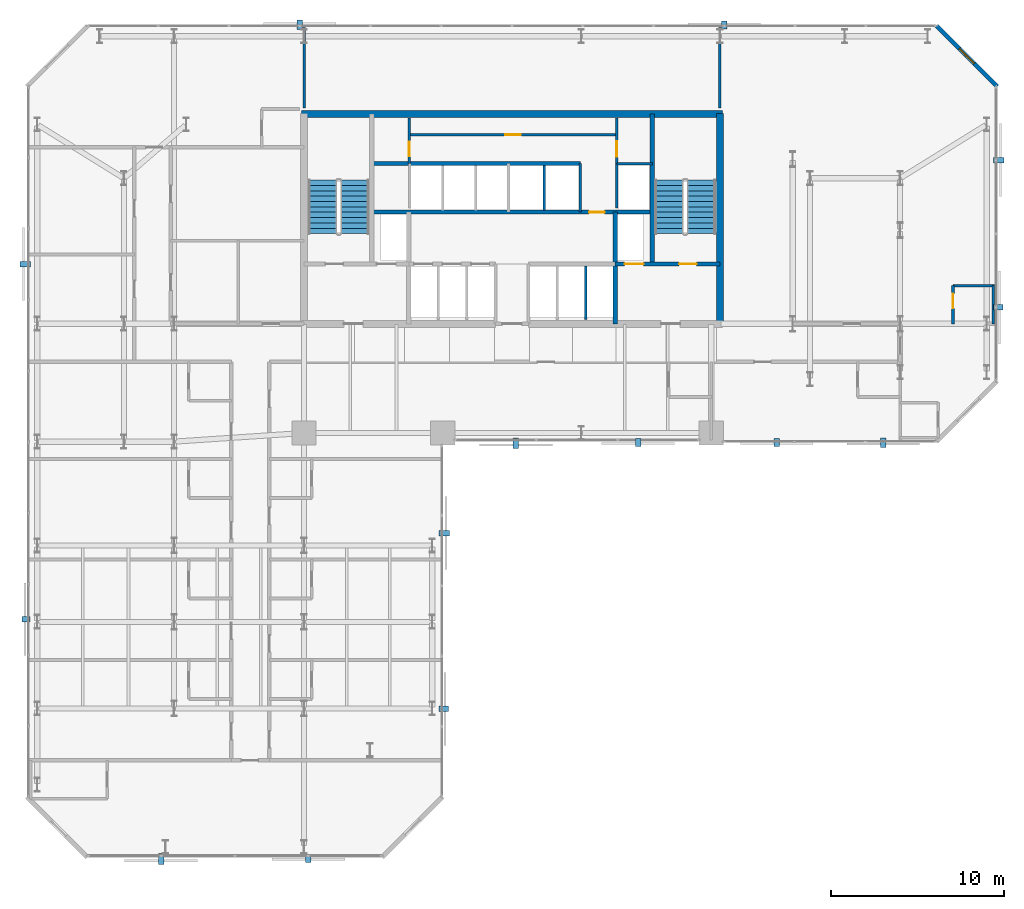
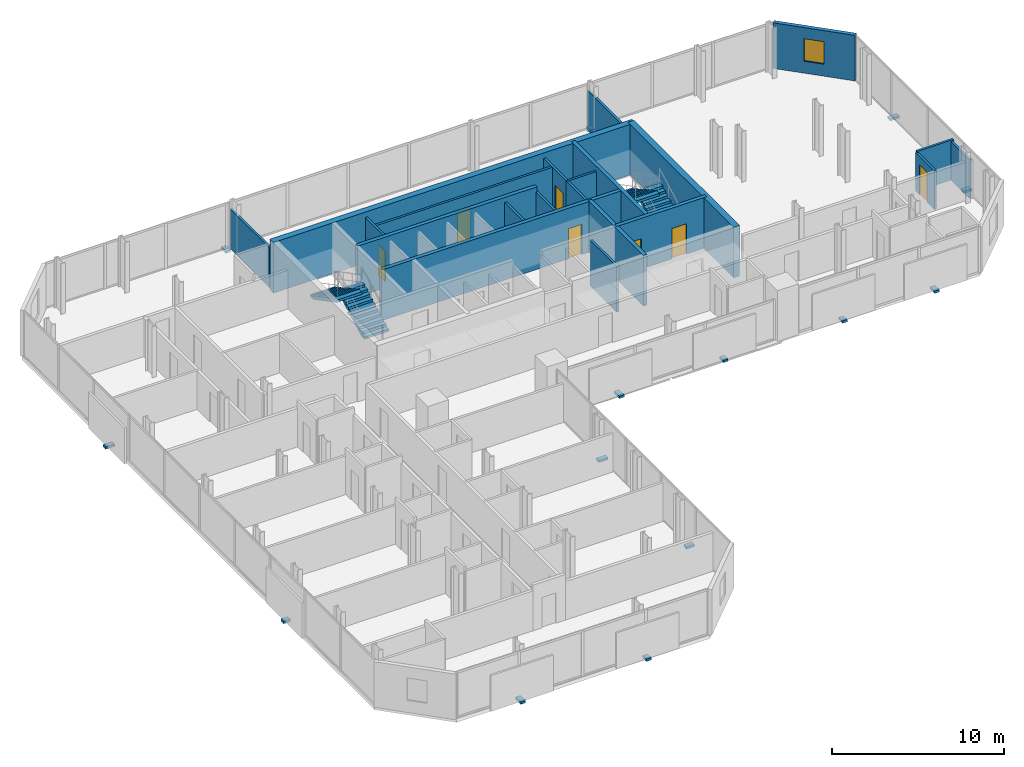
# One storey, part 31 of 33: 21 walls, 14 discrete accessories, 7 doors, 4 stair flights, 1 window, 8 openings, 2 elements without a shape of their own.
"""IFC4 building model written with IfcOpenShell, lengths in metres."""

from ifc_helpers import new_model, si_unit, direction, frame, frame_2d, origin, origin_2d, place, context, subcontext, project, spatial, polyline, rectangle, outline, extrude, material, layer, layer_set, type_object, element, fill, aggregate, save


model = new_model("IFC4")

# Units and contexts
model_context = context("Model", 3, precision=1e-05, world=origin(), true_north=direction((0.0, 1.0)))
body_context = subcontext(model_context, "Body", "Model", "MODEL_VIEW")
ifc_project = project(units=[si_unit("LENGTHUNIT", "METRE"), si_unit("AREAUNIT", "SQUARE_METRE"), si_unit("VOLUMEUNIT", "CUBIC_METRE"), si_unit("PLANEANGLEUNIT", "RADIAN"), si_unit("MASSUNIT", "GRAM", prefix="KILO")], contexts=[model_context])

# Site, building, storey
site_placement = place(None, origin())
site = spatial("IfcSite", under=ifc_project, at=site_placement, CompositionType="ELEMENT")
building_placement = place(site_placement, origin())
building = spatial("IfcBuilding", under=site, at=building_placement, Name="Catumbela Crestline Tower", CompositionType="ELEMENT")
storey_placement = place(building_placement, frame((0.0, 0.0, 76.2)))
storey = spatial("IfcBuildingStorey", under=building, at=storey_placement, Name="L19", CompositionType="ELEMENT", Elevation=76.2)

# Walls
ifc_material_1 = material(Name="Concrete C50/60", Category="concrete")
ifc_layer_1 = layer(ifc_material_1, 0.25, Name="Concrete C50/60")
ifc_layer_set_1 = layer_set([ifc_layer_1], Name="Concrete C50/60")
wall_type_1 = type_object("IfcWallType", Name="CW-250D", PredefinedType="SHEAR", material=ifc_layer_set_1)
wall_1_placement = place(storey_placement, frame((36.1, 34.25, 0.0), z_axis=(0.0, 0.0, 1.0), x_axis=(0.0, 1.0, 0.0)))
element("IfcWall", 1, at=wall_1_placement, inside=storey, type_object=wall_type_1, Name="L19 Structural Core Shear Wall EWEB", PredefinedType="SHEAR", context=body_context, shape_type="SweptSolid", body=[
    extrude(rectangle(XDim=8.65, YDim=0.25, at=frame_2d((4.325, 0.0))), origin(), (0.0, 0.0, 1.0), 3.6),
])
wall_2_placement = place(storey_placement, frame((33.95, 30.8, 0.0), z_axis=(0.0, 0.0, 1.0), x_axis=(0.0, 1.0, 0.0)))
element("IfcWall", 2, at=wall_2_placement, inside=storey, type_object=wall_type_1, Name="L19 Structural Core Shear Wall FFE", PredefinedType="SHEAR", context=body_context, shape_type="SweptSolid", body=[
    extrude(rectangle(XDim=6.45, YDim=0.25, at=frame_2d((3.225, 0.0))), origin(), (0.0, 0.0, 1.0), 3.6),
])

# Wall, openings, doors
wall_3_placement = place(storey_placement, frame((33.95, 34.25, 0.0), z_axis=(0.0, 0.0, 1.0), x_axis=(1.0, 0.0, 0.0)))
wall_3 = element("IfcWall", 3, at=wall_3_placement, inside=storey, type_object=wall_type_1, Name="L19 Structural Core Shear Wall ST2S", PredefinedType="SHEAR", context=body_context, shape_type="SweptSolid", body=[
    extrude(rectangle(XDim=6.05, YDim=0.25, at=frame_2d((3.025, 0.0))), origin(), (0.0, 0.0, 1.0), 3.6),
])
opening_1_placement = place(wall_3_placement, frame((3.7, 0.0, 0.0)))
opening_1 = element("IfcOpeningElement", 4, at=opening_1_placement, cuts=wall_3, Name="Opening DF9-100", PredefinedType="OPENING", context=body_context, shape_type="SweptSolid", body=[
    extrude(rectangle(XDim=1.0, YDim=2.15, at=frame_2d((0.5, 1.075))), frame((0.0, 0.135, 0.0), z_axis=(0.0, -1.0, 0.0), x_axis=(1.0, 0.0, 0.0)), (0.0, 0.0, 1.0), 0.27),
])
opening_2_placement = place(wall_3_placement, frame((0.55, 0.0, 0.0)))
opening_2 = element("IfcOpeningElement", 5, at=opening_2_placement, cuts=wall_3, Name="Opening LD-110", PredefinedType="OPENING", context=body_context, shape_type="SweptSolid", body=[
    extrude(rectangle(XDim=1.1, YDim=2.15, at=frame_2d((0.55, 1.075))), frame((0.0, 0.135, 0.0), z_axis=(0.0, -1.0, 0.0), x_axis=(1.0, 0.0, 0.0)), (0.0, 0.0, 1.0), 0.27),
])
ifc_material_2 = material(Name="Stainless steel EN 1.4401", Category="steel")
door_type_1 = type_object("IfcDoorType", Name="DF9-100", OperationType="NOTDEFINED", PredefinedType="DOOR", material=ifc_material_2)
door_1_placement = place(opening_1_placement, origin())
door_1 = element("IfcDoor", 6, at=door_1_placement, inside=storey, type_object=door_type_1, Name="L19 Interior Door DR-L19-ST02", OperationType="SINGLE_SWING_RIGHT", OverallHeight=2.15, OverallWidth=1.0, PredefinedType="DOOR", context=body_context, shape_type="SweptSolid", body=[
    extrude(rectangle(XDim=1.0, YDim=2.15, at=frame_2d((0.5, 1.075))), frame((0.0, 0.025, 0.0), z_axis=(0.0, -1.0, 0.0), x_axis=(1.0, 0.0, 0.0)), (0.0, 0.0, 1.0), 0.05),
])
fill(opening_1, door_1)
door_type_2 = type_object("IfcDoorType", Name="LD-110", OperationType="NOTDEFINED", PredefinedType="DOOR", material=ifc_material_2)
door_2_placement = place(opening_2_placement, origin())
door_2 = element("IfcDoor", 7, at=door_2_placement, inside=storey, type_object=door_type_2, Name="L19 Lift Landing Sliding Door FL-02", OperationType="DOUBLE_DOOR_SLIDING", OverallHeight=2.15, OverallWidth=1.1, PredefinedType="DOOR", context=body_context, shape_type="SweptSolid", body=[
    extrude(rectangle(XDim=1.1, YDim=2.15, at=frame_2d((0.55, 1.075))), frame((0.0, 0.025, 0.0), z_axis=(0.0, -1.0, 0.0), x_axis=(1.0, 0.0, 0.0)), (0.0, 0.0, 1.0), 0.05),
])
fill(opening_2, door_2)

# Wall, opening, door
wall_4_placement = place(storey_placement, frame((19.9, 37.25, 0.0), z_axis=(0.0, 0.0, 1.0), x_axis=(1.0, 0.0, 0.0)))
wall_4 = element("IfcWall", 8, at=wall_4_placement, inside=storey, type_object=wall_type_1, Name="L19 Structural Core Shear Wall LIFTN", PredefinedType="SHEAR", context=body_context, shape_type="SweptSolid", body=[
    extrude(rectangle(XDim=16.2, YDim=0.25, at=frame_2d((8.1, 0.0))), origin(), (0.0, 0.0, 1.0), 3.6),
])
opening_3_placement = place(wall_4_placement, frame((12.55, 0.0, 0.0)))
opening_3 = element("IfcOpeningElement", 9, at=opening_3_placement, cuts=wall_4, Name="Opening DF9-090", PredefinedType="OPENING", context=body_context, shape_type="SweptSolid", body=[
    extrude(rectangle(XDim=0.9, YDim=2.15, at=frame_2d((0.45, 1.075))), frame((0.0, 0.135, 0.0), z_axis=(0.0, -1.0, 0.0), x_axis=(1.0, 0.0, 0.0)), (0.0, 0.0, 1.0), 0.27),
])
door_type_3 = type_object("IfcDoorType", Name="DF9-090", OperationType="NOTDEFINED", PredefinedType="DOOR", material=ifc_material_2)
door_3_placement = place(opening_3_placement, origin())
door_3 = element("IfcDoor", 10, at=door_3_placement, inside=storey, type_object=door_type_3, Name="L19 Interior Door DR-L19-CPAS1", OperationType="SINGLE_SWING_LEFT", OverallHeight=2.15, OverallWidth=0.9, PredefinedType="DOOR", context=body_context, shape_type="SweptSolid", body=[
    extrude(rectangle(XDim=0.9, YDim=2.15, at=frame_2d((0.45, 1.075))), frame((0.0, 0.025, 0.0), z_axis=(0.0, -1.0, 0.0), x_axis=(1.0, 0.0, 0.0)), (0.0, 0.0, 1.0), 0.05),
])
fill(opening_3, door_3)

# Walls
wall_5_placement = place(storey_placement, frame((19.9, 40.05, 0.0), z_axis=(0.0, 0.0, 1.0), x_axis=(1.0, 0.0, 0.0)))
element("IfcWall", 11, at=wall_5_placement, inside=storey, type_object=wall_type_1, Name="L19 Structural Core Shear Wall COREN", PredefinedType="SHEAR", context=body_context, shape_type="SweptSolid", body=[
    extrude(rectangle(XDim=12.05, YDim=0.25, at=frame_2d((6.025, 0.0))), origin(), (0.0, 0.0, 1.0), 3.6),
])
ifc_material_3 = material(Name="Concrete C60/75", Category="concrete")
ifc_layer_2 = layer(ifc_material_3, 0.4, Name="Concrete C60/75")
ifc_layer_set_2 = layer_set([ifc_layer_2], Name="Concrete C60/75")
wall_type_2 = type_object("IfcWallType", Name="CW-400A", PredefinedType="SHEAR", material=ifc_layer_set_2)
wall_6_placement = place(storey_placement, frame((40.0, 30.65, 0.0), z_axis=(0.0, 0.0, 1.0), x_axis=(0.0, 1.0, 0.0)))
element("IfcWall", 12, at=wall_6_placement, inside=storey, type_object=wall_type_2, Name="L19 Structural Core Shear Wall E", PredefinedType="SHEAR", context=body_context, shape_type="SweptSolid", body=[
    extrude(rectangle(XDim=12.3, YDim=0.4, at=frame_2d((6.15, 0.0))), origin(), (0.0, 0.0, 1.0), 3.6),
])
wall_7_placement = place(storey_placement, frame((15.85, 42.9, 0.0), z_axis=(0.0, 0.0, 1.0), x_axis=(1.0, 0.0, 0.0)))
element("IfcWall", 13, at=wall_7_placement, inside=storey, type_object=wall_type_2, Name="L19 Structural Core Shear Wall N", PredefinedType="SHEAR", context=body_context, shape_type="SweptSolid", body=[
    extrude(rectangle(XDim=24.3, YDim=0.4, at=frame_2d((12.15, 0.0))), origin(), (0.0, 0.0, 1.0), 3.6),
])

# Wall, opening, window
ifc_material_4 = material(Name="Angolan grey-ochre granite", Category="masonry")
ifc_layer_3 = layer(ifc_material_4, 0.25, Name="Angolan grey-ochre granite")
ifc_layer_set_3 = layer_set([ifc_layer_3], Name="Angolan grey-ochre granite")
wall_type_3 = type_object("IfcWallType", Name="WE-250", PredefinedType="STANDARD", material=ifc_layer_set_3)
wall_8_placement = place(storey_placement, frame((56.0, 44.5, 0.0), z_axis=(0.0, 0.0, 1.0), x_axis=(-0.707106781187, 0.707106781187, 0.0)))
wall_8 = element("IfcWall", 14, at=wall_8_placement, inside=storey, type_object=wall_type_3, Name="L19 Granite Punched Window Wall 6-1", PredefinedType="STANDARD", context=body_context, shape_type="SweptSolid", body=[
    extrude(rectangle(XDim=4.9497, YDim=0.25, at=frame_2d((2.4748, 0.0))), origin(), (0.0, 0.0, 1.0), 3.24),
])
opening_4_placement = place(wall_8_placement, frame((1.8748, 0.0, 0.85)))
opening_4 = element("IfcOpeningElement", 15, at=opening_4_placement, cuts=wall_8, Name="Opening WN-02", PredefinedType="OPENING", context=body_context, shape_type="SweptSolid", body=[
    extrude(rectangle(XDim=1.2, YDim=1.6, at=frame_2d((0.6, 0.8))), frame((0.0, 0.135, 0.0), z_axis=(0.0, -1.0, 0.0), x_axis=(1.0, 0.0, 0.0)), (0.0, 0.0, 1.0), 0.27),
])
ifc_material_5 = material(Name="Low-E laminated solar-control double glazing", Category="glass")
window_type = type_object("IfcWindowType", Name="WO-1200", PartitioningType="SINGLE_PANEL", PredefinedType="WINDOW", material=ifc_material_5)
window_placement = place(opening_4_placement, origin())
window = element("IfcWindow", 16, at=window_placement, inside=storey, type_object=window_type, Name="L19 Facade Vision Window 120", OverallHeight=1.6, OverallWidth=1.2, PartitioningType="SINGLE_PANEL", PredefinedType="WINDOW", context=body_context, shape_type="SweptSolid", body=[
    extrude(rectangle(XDim=1.2, YDim=1.6, at=frame_2d((0.6, 0.8))), frame((0.0, 0.03, 0.0), z_axis=(0.0, -1.0, 0.0), x_axis=(1.0, 0.0, 0.0)), (0.0, 0.0, 1.0), 0.06),
])
fill(opening_4, window)

# Wall
ifc_material_6 = material(Name="Acoustic gypsum and mineral-wool partition")
ifc_layer_4 = layer(ifc_material_6, 0.15, Name="Acoustic gypsum and mineral-wool partition")
ifc_layer_set_4 = layer_set([ifc_layer_4], Name="Acoustic gypsum and mineral-wool partition")
wall_type_4 = type_object("IfcWallType", Name="WP-150", PredefinedType="PARTITIONING", material=ifc_layer_set_4)
wall_9_placement = place(storey_placement, frame((34.05, 40.05, 0.0), z_axis=(0.0, 0.0, 1.0), x_axis=(1.0, 0.0, 0.0)))
element("IfcWall", 17, at=wall_9_placement, inside=storey, type_object=wall_type_4, Name="L19 Interior Partition PW-L19-CR-ES", PredefinedType="PARTITIONING", context=body_context, shape_type="SweptSolid", body=[
    extrude(rectangle(XDim=2.05, YDim=0.15, at=frame_2d((1.025, 0.0))), origin(), (0.0, 0.0, 1.0), 3.24),
])

# Wall, opening, door
wall_10_placement = place(storey_placement, frame((34.05, 40.05, 0.0), z_axis=(0.0, 0.0, 1.0), x_axis=(0.0, 1.0, 0.0)))
wall_10 = element("IfcWall", 18, at=wall_10_placement, inside=storey, type_object=wall_type_4, Name="L19 Interior Partition PW-L19-CR-EW", PredefinedType="PARTITIONING", context=body_context, shape_type="SweptSolid", body=[
    extrude(rectangle(XDim=2.63, YDim=0.15, at=frame_2d((1.315, 0.0))), origin(), (0.0, 0.0, 1.0), 3.24),
])
opening_5_placement = place(wall_10_placement, frame((0.385, 0.0, 0.0)))
opening_5 = element("IfcOpeningElement", 19, at=opening_5_placement, cuts=wall_10, Name="Opening DF9-090", PredefinedType="OPENING", context=body_context, shape_type="SweptSolid", body=[
    extrude(rectangle(XDim=0.9, YDim=2.15, at=frame_2d((0.45, 1.075))), frame((0.0, 0.085, 0.0), z_axis=(0.0, -1.0, 0.0), x_axis=(1.0, 0.0, 0.0)), (0.0, 0.0, 1.0), 0.17),
])
door_4_placement = place(opening_5_placement, origin())
door_4 = element("IfcDoor", 20, at=door_4_placement, inside=storey, type_object=door_type_3, Name="L19 Interior Door DR-L19-CREAST", OperationType="SINGLE_SWING_RIGHT", OverallHeight=2.15, OverallWidth=0.9, PredefinedType="DOOR", context=body_context, shape_type="SweptSolid", body=[
    extrude(rectangle(XDim=0.9, YDim=2.15, at=frame_2d((0.45, 1.075))), frame((0.0, 0.025, 0.0), z_axis=(0.0, -1.0, 0.0), x_axis=(1.0, 0.0, 0.0)), (0.0, 0.0, 1.0), 0.05),
])
fill(opening_5, door_4)

wall_11_placement = place(storey_placement, frame((22.08, 40.05, 0.0), z_axis=(0.0, 0.0, 1.0), x_axis=(0.0, 1.0, 0.0)))
wall_11 = element("IfcWall", 21, at=wall_11_placement, inside=storey, type_object=wall_type_4, Name="L19 Interior Partition PW-L19-CR-WCW", PredefinedType="PARTITIONING", context=body_context, shape_type="SweptSolid", body=[
    extrude(rectangle(XDim=2.63, YDim=0.15, at=frame_2d((1.315, 0.0))), origin(), (0.0, 0.0, 1.0), 3.24),
])
opening_6_placement = place(wall_11_placement, frame((0.41, 0.0, 0.0)))
opening_6 = element("IfcOpeningElement", 22, at=opening_6_placement, cuts=wall_11, Name="Opening DI-085", PredefinedType="OPENING", context=body_context, shape_type="SweptSolid", body=[
    extrude(rectangle(XDim=0.85, YDim=2.15, at=frame_2d((0.425, 1.075))), frame((0.0, 0.085, 0.0), z_axis=(0.0, -1.0, 0.0), x_axis=(1.0, 0.0, 0.0)), (0.0, 0.0, 1.0), 0.17),
])
ifc_material_7 = material(Name="Aluminium alloy AW-6060-T66", Category="aluminium")
door_type_4 = type_object("IfcDoorType", Name="DI-085", OperationType="NOTDEFINED", PredefinedType="DOOR", material=ifc_material_7)
door_5_placement = place(opening_6_placement, origin())
door_5 = element("IfcDoor", 23, at=door_5_placement, inside=storey, type_object=door_type_4, Name="L19 Interior Door DR-L19-CRWC", OperationType="SINGLE_SWING_LEFT", OverallHeight=2.15, OverallWidth=0.85, PredefinedType="DOOR", context=body_context, shape_type="SweptSolid", body=[
    extrude(rectangle(XDim=0.85, YDim=2.15, at=frame_2d((0.425, 1.075))), frame((0.0, 0.025, 0.0), z_axis=(0.0, -1.0, 0.0), x_axis=(1.0, 0.0, 0.0)), (0.0, 0.0, 1.0), 0.05),
])
fill(opening_6, door_5)

wall_12_placement = place(storey_placement, frame((22.08, 41.72, 0.0), z_axis=(0.0, 0.0, 1.0), x_axis=(1.0, 0.0, 0.0)))
wall_12 = element("IfcWall", 24, at=wall_12_placement, inside=storey, type_object=wall_type_4, Name="L19 Interior Partition PW-L19-CR-MID", PredefinedType="PARTITIONING", context=body_context, shape_type="SweptSolid", body=[
    extrude(rectangle(XDim=11.97, YDim=0.15, at=frame_2d((5.985, 0.0))), origin(), (0.0, 0.0, 1.0), 3.24),
])
opening_7_placement = place(wall_12_placement, frame((5.535, 0.0, 0.0)))
opening_7 = element("IfcOpeningElement", 25, at=opening_7_placement, cuts=wall_12, Name="Opening DF9-090", PredefinedType="OPENING", context=body_context, shape_type="SweptSolid", body=[
    extrude(rectangle(XDim=0.9, YDim=2.15, at=frame_2d((0.45, 1.075))), frame((0.0, 0.085, 0.0), z_axis=(0.0, -1.0, 0.0), x_axis=(1.0, 0.0, 0.0)), (0.0, 0.0, 1.0), 0.17),
])
door_6_placement = place(opening_7_placement, origin())
door_6 = element("IfcDoor", 26, at=door_6_placement, inside=storey, type_object=door_type_3, Name="L19 Interior Door DR-L19-CRMID", OperationType="SINGLE_SWING_LEFT", OverallHeight=2.15, OverallWidth=0.9, PredefinedType="DOOR", context=body_context, shape_type="SweptSolid", body=[
    extrude(rectangle(XDim=0.9, YDim=2.15, at=frame_2d((0.45, 1.075))), frame((0.0, 0.025, 0.0), z_axis=(0.0, -1.0, 0.0), x_axis=(1.0, 0.0, 0.0)), (0.0, 0.0, 1.0), 0.05),
])
fill(opening_7, door_6)

# Walls
for number, where, z_axis, x_axis, name in (
    (27, (16.0, 43.27, 0.0), (0.0, 0.0, 1.0), (0.0, 1.0, 0.0), "L19 Interior Partition PW-L19-NCF-W"),
    (28, (40.0, 43.27, 0.0), (0.0, 0.0, 1.0), (0.0, 1.0, 0.0), "L19 Interior Partition PW-L19-NCF-E"),
):
    element("IfcWall", number, at=place(storey_placement, frame(where, z_axis=z_axis, x_axis=x_axis)), inside=storey, type_object=wall_type_4, Name=name, PredefinedType="PARTITIONING", context=body_context, shape_type="SweptSolid", body=[
        extrude(rectangle(XDim=4.63, YDim=0.15, at=frame_2d((2.315, 0.0))), origin(), (0.0, 0.0, 1.0), 2.83),
    ])
wall_13_placement = place(storey_placement, frame((53.45, 33.0, 0.0), z_axis=(0.0, 0.0, 1.0), x_axis=(1.0, 0.0, 0.0)))
element("IfcWall", 29, at=wall_13_placement, inside=storey, type_object=wall_type_4, Name="L19 Interior Partition PW-L19-NES-BHW", PredefinedType="PARTITIONING", context=body_context, shape_type="SweptSolid", body=[
    extrude(rectangle(XDim=2.45, YDim=0.15, at=frame_2d((1.225, 0.0))), origin(), (0.0, 0.0, 1.0), 2.83),
])

# Wall, opening, door
wall_14_placement = place(storey_placement, frame((53.45, 30.8, 0.0), z_axis=(0.0, 0.0, 1.0), x_axis=(0.0, 1.0, 0.0)))
wall_14 = element("IfcWall", 30, at=wall_14_placement, inside=storey, type_object=wall_type_4, Name="L19 Interior Partition PW-L19-NES-BWW", PredefinedType="PARTITIONING", context=body_context, shape_type="SweptSolid", body=[
    extrude(rectangle(XDim=2.2, YDim=0.15, at=frame_2d((1.1, 0.0))), origin(), (0.0, 0.0, 1.0), 2.74),
])
opening_8_placement = place(wall_14_placement, frame((0.8925, 0.0, 0.0)))
opening_8 = element("IfcOpeningElement", 31, at=opening_8_placement, cuts=wall_14, Name="Opening DI-085", PredefinedType="OPENING", context=body_context, shape_type="SweptSolid", body=[
    extrude(rectangle(XDim=0.85, YDim=2.15, at=frame_2d((0.425, 1.075))), frame((0.0, 0.085, 0.0), z_axis=(0.0, -1.0, 0.0), x_axis=(1.0, 0.0, 0.0)), (0.0, 0.0, 1.0), 0.17),
])
door_7_placement = place(opening_8_placement, origin())
door_7 = element("IfcDoor", 32, at=door_7_placement, inside=storey, type_object=door_type_4, Name="L19 Interior Door DR-L19-NES-BTH", OperationType="SINGLE_SWING_RIGHT", OverallHeight=2.15, OverallWidth=0.85, PredefinedType="DOOR", context=body_context, shape_type="SweptSolid", body=[
    extrude(rectangle(XDim=0.85, YDim=2.15, at=frame_2d((0.425, 1.075))), frame((0.0, 0.025, 0.0), z_axis=(0.0, -1.0, 0.0), x_axis=(1.0, 0.0, 0.0)), (0.0, 0.0, 1.0), 0.05),
])
fill(opening_8, door_7)

# Walls
wall_15_placement = place(storey_placement, frame((55.78, 33.0, 0.0), z_axis=(0.0, 0.0, 1.0), x_axis=(0.0, -1.0, 0.0)))
element("IfcWall", 33, at=wall_15_placement, inside=storey, type_object=wall_type_4, Name="L19 Interior Partition PW-L19-NES-BCL-2", PredefinedType="PARTITIONING", context=body_context, shape_type="SweptSolid", body=[
    extrude(rectangle(XDim=2.2, YDim=0.15, at=frame_2d((1.1, 0.0))), origin(), (0.0, 0.0, 1.0), 2.74),
])
ifc_layer_5 = layer(ifc_material_6, 0.15, Name="Acoustic gypsum and mineral-wool partition")
ifc_layer_set_5 = layer_set([ifc_layer_5], Name="Acoustic gypsum and mineral-wool partition")
wall_type_5 = type_object("IfcWallType", Name="WS-150", PredefinedType="PLUMBINGWALL", material=ifc_layer_set_5)
wall_16_placement = place(storey_placement, frame((32.25, 31.05, 0.0), z_axis=(0.0, 0.0, 1.0), x_axis=(0.0, 1.0, 0.0)))
element("IfcWall", 34, at=wall_16_placement, inside=storey, type_object=wall_type_5, Name="L19 Interior Partition PW-L19-SHM2", PredefinedType="PLUMBINGWALL", context=body_context, shape_type="SweptSolid", body=[
    extrude(rectangle(XDim=3.1, YDim=0.15, at=frame_2d((1.55, 0.0))), origin(), (0.0, 0.0, 1.0), 3.24),
])
wall_17_placement = place(storey_placement, frame((31.95, 37.25, 0.0), z_axis=(0.0, 0.0, 1.0), x_axis=(0.0, 1.0, 0.0)))
element("IfcWall", 35, at=wall_17_placement, inside=storey, type_object=wall_type_5, Name="L19 Interior Partition PW-L19-SHEX2E", PredefinedType="PLUMBINGWALL", context=body_context, shape_type="SweptSolid", body=[
    extrude(rectangle(XDim=2.8, YDim=0.15, at=frame_2d((1.4, 0.0))), origin(), (0.0, 0.0, 1.0), 3.24),
])
wall_18_placement = place(storey_placement, frame((29.85, 37.35, 0.0), z_axis=(0.0, 0.0, 1.0), x_axis=(0.0, 1.0, 0.0)))
element("IfcWall", 36, at=wall_18_placement, inside=storey, type_object=wall_type_5, Name="L19 Interior Partition PW-L19-SHEX1", PredefinedType="PLUMBINGWALL", context=body_context, shape_type="SweptSolid", body=[
    extrude(rectangle(XDim=2.6, YDim=0.15, at=frame_2d((1.3, 0.0))), origin(), (0.0, 0.0, 1.0), 3.24),
])
wall_19_placement = place(storey_placement, frame((34.05, 37.4734, 0.0), z_axis=(0.0, 0.0, 1.0), x_axis=(0.0, 1.0, 0.0)))
element("IfcWall", 37, at=wall_19_placement, inside=storey, type_object=wall_type_5, Name="L19 Interior Partition PW-L19-RISW", PredefinedType="PLUMBINGWALL", context=body_context, shape_type="SweptSolid", body=[
    extrude(rectangle(XDim=2.5766, YDim=0.15, at=frame_2d((1.2883, 0.0))), origin(), (0.0, 0.0, 1.0), 3.24),
])

# Stair, stair flights
ifc_material_8 = material(Name="Concrete C45/55", Category="concrete")
stair_type = type_object("IfcStairType", Name="ST-DLG", PredefinedType="HALF_TURN_STAIR", material=ifc_material_8)
stair_1_placement = place(storey_placement, origin())
stair_1 = element("IfcStair", 38, at=stair_1_placement, inside=storey, type_object=stair_type, Name="L19 West Core Pressurised Exit Stair ST-01", PredefinedType="HALF_TURN_STAIR")
stair_flight_type = type_object("IfcStairFlightType", Name="SF-1636", PredefinedType="STRAIGHT", material=ifc_material_8)
stair_flight_1_placement = place(storey_placement, frame((18.92, 36.0, 0.0), z_axis=(0.0, 0.0, 1.0), x_axis=(0.0, 1.0, 0.0)))
stair_flight_1 = element("IfcStairFlight", 39, at=stair_flight_1_placement, type_object=stair_flight_type, Name="ST-01 flight 1", NumberOfRisers=11, NumberOfTreads=10, PredefinedType="STRAIGHT", RiserHeight=0.163636364, TreadLength=0.31, context=body_context, shape_type="SweptSolid", body=[
    extrude(outline(polyline([(0.0, 0.0), (0.0, 0.1636), (0.31, 0.1636), (0.31, 0.3273), (0.62, 0.3273), (0.62, 0.4909), (0.93, 0.4909), (0.93, 0.6545), (1.24, 0.6545), (1.24, 0.8182), (1.55, 0.8182), (1.55, 0.9818), (1.86, 0.9818), (1.86, 1.1455), (2.17, 1.1455), (2.17, 1.3091), (2.48, 1.3091), (2.48, 1.4727), (2.79, 1.4727), (2.79, 1.6364), (3.1, 1.6364), (3.1, 1.8), (3.1, 1.4554), (0.3427, 0.0), (0.0, 0.0)])), frame((0.0, 0.83, 0.0), z_axis=(0.0, -1.0, 0.0), x_axis=(1.0, 0.0, 0.0)), (0.0, 0.0, 1.0), 1.66),
])
stair_flight_2_placement = place(storey_placement, frame((17.08, 39.1, 1.8), z_axis=(0.0, 0.0, 1.0), x_axis=(0.0, -1.0, 0.0)))
stair_flight_2 = element("IfcStairFlight", 40, at=stair_flight_2_placement, type_object=stair_flight_type, Name="ST-01 flight 2", NumberOfRisers=11, NumberOfTreads=10, PredefinedType="STRAIGHT", RiserHeight=0.163636364, TreadLength=0.31, context=body_context, shape_type="SweptSolid", body=[
    extrude(outline(polyline([(0.0, 0.0), (0.0, 0.1636), (0.31, 0.1636), (0.31, 0.3273), (0.62, 0.3273), (0.62, 0.4909), (0.93, 0.4909), (0.93, 0.6545), (1.24, 0.6545), (1.24, 0.8182), (1.55, 0.8182), (1.55, 0.9818), (1.86, 0.9818), (1.86, 1.1455), (2.17, 1.1455), (2.17, 1.3091), (2.48, 1.3091), (2.48, 1.4727), (2.79, 1.4727), (2.79, 1.6364), (3.1, 1.6364), (3.1, 1.8), (3.1, 1.4554), (0.3427, 0.0), (0.0, 0.0)])), frame((0.0, 0.83, 0.0), z_axis=(0.0, -1.0, 0.0), x_axis=(1.0, 0.0, 0.0)), (0.0, 0.0, 1.0), 1.66),
])
aggregate(stair_1, [stair_flight_1, stair_flight_2])

stair_2_placement = place(storey_placement, origin())
stair_2 = element("IfcStair", 41, at=stair_2_placement, inside=storey, type_object=stair_type, Name="L19 East Core Pressurised Exit Stair ST-02", PredefinedType="HALF_TURN_STAIR")
stair_flight_3_placement = place(storey_placement, frame((38.92, 36.0, 0.0), z_axis=(0.0, 0.0, 1.0), x_axis=(0.0, 1.0, 0.0)))
stair_flight_3 = element("IfcStairFlight", 42, at=stair_flight_3_placement, type_object=stair_flight_type, Name="ST-02 flight 1", NumberOfRisers=11, NumberOfTreads=10, PredefinedType="STRAIGHT", RiserHeight=0.163636364, TreadLength=0.31, context=body_context, shape_type="SweptSolid", body=[
    extrude(outline(polyline([(0.0, 0.0), (0.0, 0.1636), (0.31, 0.1636), (0.31, 0.3273), (0.62, 0.3273), (0.62, 0.4909), (0.93, 0.4909), (0.93, 0.6545), (1.24, 0.6545), (1.24, 0.8182), (1.55, 0.8182), (1.55, 0.9818), (1.86, 0.9818), (1.86, 1.1455), (2.17, 1.1455), (2.17, 1.3091), (2.48, 1.3091), (2.48, 1.4727), (2.79, 1.4727), (2.79, 1.6364), (3.1, 1.6364), (3.1, 1.8), (3.1, 1.4554), (0.3427, 0.0), (0.0, 0.0)])), frame((0.0, 0.83, 0.0), z_axis=(0.0, -1.0, 0.0), x_axis=(1.0, 0.0, 0.0)), (0.0, 0.0, 1.0), 1.66),
])
stair_flight_4_placement = place(storey_placement, frame((37.08, 39.1, 1.8), z_axis=(0.0, 0.0, 1.0), x_axis=(0.0, -1.0, 0.0)))
stair_flight_4 = element("IfcStairFlight", 43, at=stair_flight_4_placement, type_object=stair_flight_type, Name="ST-02 flight 2", NumberOfRisers=11, NumberOfTreads=10, PredefinedType="STRAIGHT", RiserHeight=0.163636364, TreadLength=0.31, context=body_context, shape_type="SweptSolid", body=[
    extrude(outline(polyline([(0.0, 0.0), (0.0, 0.1636), (0.31, 0.1636), (0.31, 0.3273), (0.62, 0.3273), (0.62, 0.4909), (0.93, 0.4909), (0.93, 0.6545), (1.24, 0.6545), (1.24, 0.8182), (1.55, 0.8182), (1.55, 0.9818), (1.86, 0.9818), (1.86, 1.1455), (2.17, 1.1455), (2.17, 1.3091), (2.48, 1.3091), (2.48, 1.4727), (2.79, 1.4727), (2.79, 1.6364), (3.1, 1.6364), (3.1, 1.8), (3.1, 1.4554), (0.3427, 0.0), (0.0, 0.0)])), frame((0.0, 0.83, 0.0), z_axis=(0.0, -1.0, 0.0), x_axis=(1.0, 0.0, 0.0)), (0.0, 0.0, 1.0), 1.66),
])
aggregate(stair_2, [stair_flight_3, stair_flight_4])

# Discrete accessories
discrete_accessory_type = type_object("IfcDiscreteAccessoryType", Name="BK-SS1", PredefinedType="BRACKET", material=ifc_material_2)
discrete_accessory_1_placement = place(storey_placement, frame((7.75, -0.085, -0.18), z_axis=(0.0, 0.0, 1.0), x_axis=(1.0, 0.0, 0.0)))
element("IfcDiscreteAccessory", 44, at=discrete_accessory_1_placement, inside=storey, type_object=discrete_accessory_type, Name="L19 Solar Screen Stainless Bracket 197", PredefinedType="BRACKET", context=body_context, shape_type="SweptSolid", body=[
    extrude(rectangle(XDim=0.32, YDim=0.62, at=origin_2d()), origin(), (0.0, 0.0, 1.0), 0.16),
])
discrete_accessory_2_placement = place(storey_placement, frame((16.25, -0.045, -0.18), z_axis=(0.0, 0.0, 1.0), x_axis=(1.0, 0.0, 0.0)))
element("IfcDiscreteAccessory", 45, at=discrete_accessory_2_placement, inside=storey, type_object=discrete_accessory_type, Name="L19 Solar Screen Stainless Bracket 198", PredefinedType="BRACKET", context=body_context, shape_type="SweptSolid", body=[
    extrude(rectangle(XDim=0.32, YDim=0.46, at=origin_2d()), origin(), (0.0, 0.0, 1.0), 0.16),
])
discrete_accessory_3_placement = place(storey_placement, frame((24.065, 8.575, -0.18), z_axis=(0.0, 0.0, 1.0), x_axis=(0.0, 1.0, 0.0)))
element("IfcDiscreteAccessory", 46, at=discrete_accessory_3_placement, inside=storey, type_object=discrete_accessory_type, Name="L19 Solar Screen Stainless Bracket 199", PredefinedType="BRACKET", context=body_context, shape_type="SweptSolid", body=[
    extrude(rectangle(XDim=0.32, YDim=0.54, at=origin_2d()), origin(), (0.0, 0.0, 1.0), 0.16),
])
for number, where, z_axis, x_axis, name in (
    (47, (24.085, 18.725, -0.18), (0.0, 0.0, 1.0), (0.0, 1.0, 0.0), "L19 Solar Screen Stainless Bracket 200"),
    (48, (28.225, 23.915, -0.18), (0.0, 0.0, 1.0), (1.0, 0.0, 0.0), "L19 Solar Screen Stainless Bracket 201"),
):
    element("IfcDiscreteAccessory", number, at=place(storey_placement, frame(where, z_axis=z_axis, x_axis=x_axis)), inside=storey, type_object=discrete_accessory_type, Name=name, PredefinedType="BRACKET", context=body_context, shape_type="SweptSolid", body=[
        extrude(rectangle(XDim=0.32, YDim=0.62, at=origin_2d()), origin(), (0.0, 0.0, 1.0), 0.16),
    ])
for number, where, z_axis, x_axis, name in (
    (49, (35.275, 23.955, -0.18), (0.0, 0.0, 1.0), (1.0, 0.0, 0.0), "L19 Solar Screen Stainless Bracket 202"),
    (50, (43.275, 23.955, -0.18), (0.0, 0.0, 1.0), (1.0, 0.0, 0.0), "L19 Solar Screen Stainless Bracket 203"),
):
    element("IfcDiscreteAccessory", number, at=place(storey_placement, frame(where, z_axis=z_axis, x_axis=x_axis)), inside=storey, type_object=discrete_accessory_type, Name=name, PredefinedType="BRACKET", context=body_context, shape_type="SweptSolid", body=[
        extrude(rectangle(XDim=0.32, YDim=0.46, at=origin_2d()), origin(), (0.0, 0.0, 1.0), 0.16),
    ])
for number, where, z_axis, x_axis, name in (
    (51, (49.425, 23.935, -0.18), (0.0, 0.0, 1.0), (1.0, 0.0, 0.0), "L19 Solar Screen Stainless Bracket 204"),
    (52, (56.065, 31.75, -0.18), (0.0, 0.0, 1.0), (0.0, 1.0, 0.0), "L19 Solar Screen Stainless Bracket 205"),
):
    element("IfcDiscreteAccessory", number, at=place(storey_placement, frame(where, z_axis=z_axis, x_axis=x_axis)), inside=storey, type_object=discrete_accessory_type, Name=name, PredefinedType="BRACKET", context=body_context, shape_type="SweptSolid", body=[
        extrude(rectangle(XDim=0.32, YDim=0.54, at=origin_2d()), origin(), (0.0, 0.0, 1.0), 0.16),
    ])
discrete_accessory_4_placement = place(storey_placement, frame((56.085, 40.25, -0.18), z_axis=(0.0, 0.0, 1.0), x_axis=(0.0, 1.0, 0.0)))
element("IfcDiscreteAccessory", 53, at=discrete_accessory_4_placement, inside=storey, type_object=discrete_accessory_type, Name="L19 Solar Screen Stainless Bracket 206", PredefinedType="BRACKET", context=body_context, shape_type="SweptSolid", body=[
    extrude(rectangle(XDim=0.32, YDim=0.62, at=origin_2d()), origin(), (0.0, 0.0, 1.0), 0.16),
])
discrete_accessory_5_placement = place(storey_placement, frame((40.25, 48.045, -0.18), z_axis=(0.0, 0.0, 1.0), x_axis=(-1.0, 0.0, 0.0)))
element("IfcDiscreteAccessory", 54, at=discrete_accessory_5_placement, inside=storey, type_object=discrete_accessory_type, Name="L19 Solar Screen Stainless Bracket 207", PredefinedType="BRACKET", context=body_context, shape_type="SweptSolid", body=[
    extrude(rectangle(XDim=0.32, YDim=0.46, at=origin_2d()), origin(), (0.0, 0.0, 1.0), 0.16),
])
discrete_accessory_6_placement = place(storey_placement, frame((15.75, 48.065, -0.18), z_axis=(0.0, 0.0, 1.0), x_axis=(-1.0, 0.0, 0.0)))
element("IfcDiscreteAccessory", 55, at=discrete_accessory_6_placement, inside=storey, type_object=discrete_accessory_type, Name="L19 Solar Screen Stainless Bracket 208", PredefinedType="BRACKET", context=body_context, shape_type="SweptSolid", body=[
    extrude(rectangle(XDim=0.32, YDim=0.54, at=origin_2d()), origin(), (0.0, 0.0, 1.0), 0.16),
])
discrete_accessory_7_placement = place(storey_placement, frame((-0.085, 34.25, -0.18), z_axis=(0.0, 0.0, 1.0), x_axis=(0.0, -1.0, 0.0)))
element("IfcDiscreteAccessory", 56, at=discrete_accessory_7_placement, inside=storey, type_object=discrete_accessory_type, Name="L19 Solar Screen Stainless Bracket 209", PredefinedType="BRACKET", context=body_context, shape_type="SweptSolid", body=[
    extrude(rectangle(XDim=0.32, YDim=0.62, at=origin_2d()), origin(), (0.0, 0.0, 1.0), 0.16),
])
discrete_accessory_8_placement = place(storey_placement, frame((-0.045, 13.75, -0.18), z_axis=(0.0, 0.0, 1.0), x_axis=(0.0, -1.0, 0.0)))
element("IfcDiscreteAccessory", 57, at=discrete_accessory_8_placement, inside=storey, type_object=discrete_accessory_type, Name="L19 Solar Screen Stainless Bracket 210", PredefinedType="BRACKET", context=body_context, shape_type="SweptSolid", body=[
    extrude(rectangle(XDim=0.32, YDim=0.46, at=origin_2d()), origin(), (0.0, 0.0, 1.0), 0.16),
])

save(model, "model.ifc")
